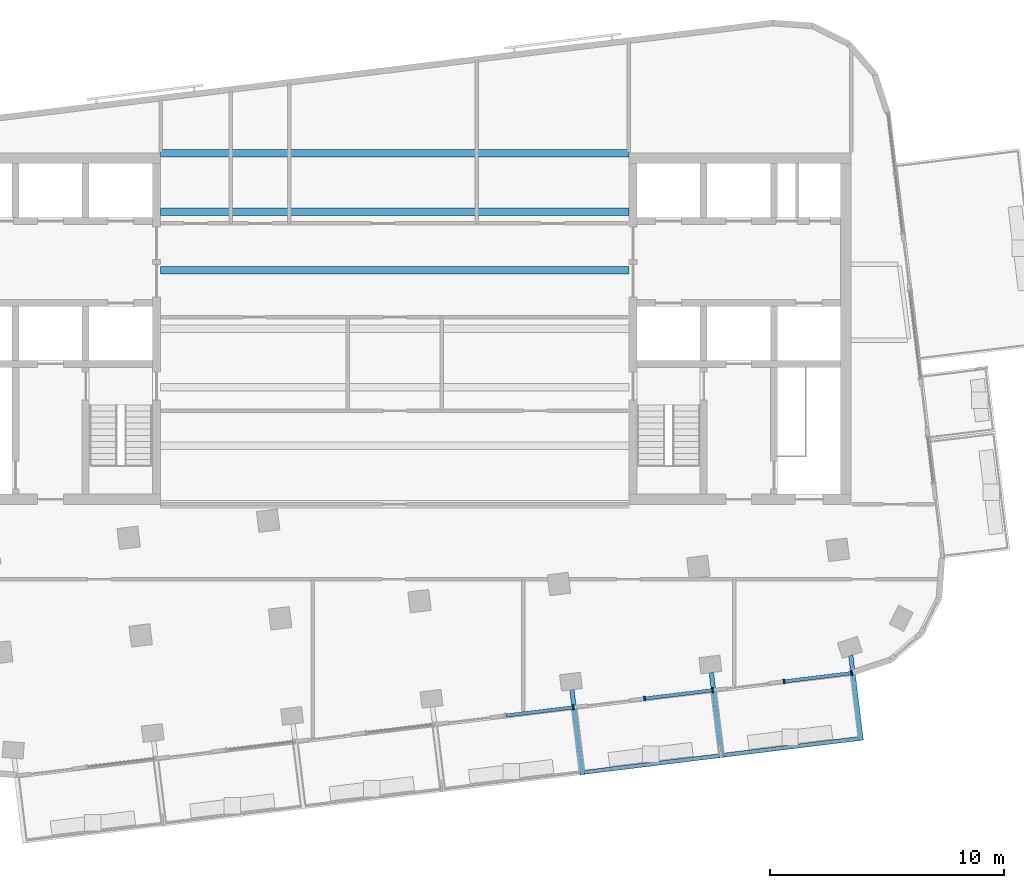
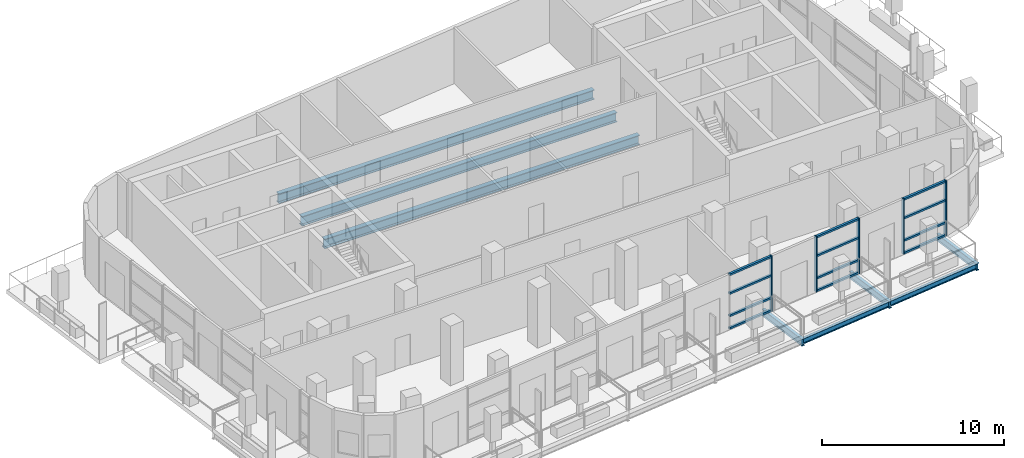
# One storey, part 3 of 13: 17 members, 8 beams, 3 elements without a shape of their own.
"""IFC4 building model written with IfcOpenShell, lengths in metres."""

from ifc_helpers import new_model, si_unit, direction, frame, origin, origin_2d, place, context, subcontext, project, spatial, rectangle, i_section, extrude, material, layer, layer_set, material_profile, profile_set, type_object, element, aggregate, save


model = new_model("IFC4")

# Units and contexts
model_context = context("Model", 3, precision=1e-05, world=origin(), true_north=direction((0.0, 1.0)))
body_context = subcontext(model_context, "Body", "Model", "MODEL_VIEW")
ifc_project = project(units=[si_unit("LENGTHUNIT", "METRE"), si_unit("AREAUNIT", "SQUARE_METRE"), si_unit("VOLUMEUNIT", "CUBIC_METRE"), si_unit("PLANEANGLEUNIT", "RADIAN"), si_unit("MASSUNIT", "GRAM", prefix="KILO")], contexts=[model_context])

# Site, building, storey
site_placement = place(None, origin())
site = spatial("IfcSite", under=ifc_project, at=site_placement, CompositionType="ELEMENT")
building_placement = place(site_placement, origin())
building = spatial("IfcBuilding", under=site, at=building_placement, Name="Torana Hotel and Residences", CompositionType="ELEMENT")
storey_placement = place(building_placement, frame((0.0, 0.0, 342.60009765625)))
storey = spatial("IfcBuildingStorey", under=building, at=storey_placement, Name="L90", CompositionType="ELEMENT", Elevation=342.60009765625)

# Beams
ifc_material_1 = material(Name="Steel S355", Category="steel")
ifc_material_profile_1 = material_profile(ifc_material_1, i_section(OverallWidth=0.19287109375, OverallDepth=0.46728515625, WebThickness=0.011474609375, FlangeThickness=0.01953125, FilletRadius=0.01025390625, at=origin_2d()), Name="457x191x98 UB")
ifc_profile_set_1 = profile_set([ifc_material_profile_1], Name="Steel S355")
beam_type_1 = type_object("IfcBeamType", Name="BALCONY CANTILEVER BEAM 457x191x98 UB", PredefinedType="BEAM", material=ifc_profile_set_1)
beam_1_placement = place(storey_placement, frame((7.568359375, -22.910400390625, -0.513671875), z_axis=(0.122014669663, -0.992528297021, 0.0), x_axis=(0.992528297021, 0.122014669663, 0.0)))
element("IfcBeam", 1, at=beam_1_placement, inside=storey, type_object=beam_type_1, Name="Balcony cantilever beam", PredefinedType="BEAM", context=body_context, shape_type="SweptSolid", body=[
    extrude(i_section(OverallWidth=0.19287109375, OverallDepth=0.46728515625, WebThickness=0.011474609375, FlangeThickness=0.01953125, FilletRadius=0.01025390625, at=origin_2d()), origin(), (0.0, 0.0, 1.0), 3.65966796875),
])
beam_2_placement = place(storey_placement, frame((13.5244140625, -22.178466796875, -0.513671875), z_axis=(0.12179331453, -0.992555483858, 0.0), x_axis=(0.992555483858, 0.12179331453, 0.0)))
element("IfcBeam", 2, at=beam_2_placement, inside=storey, type_object=beam_type_1, Name="Balcony cantilever beam", PredefinedType="BEAM", context=body_context, shape_type="SweptSolid", body=[
    extrude(i_section(OverallWidth=0.19287109375, OverallDepth=0.46728515625, WebThickness=0.011474609375, FlangeThickness=0.01953125, FilletRadius=0.01025390625, at=origin_2d()), origin(), (0.0, 0.0, 1.0), 3.660400390625),
])
beam_3_placement = place(storey_placement, frame((19.480224609375, -21.454345703125, -0.513671875), z_axis=(0.12183008487, -0.992550971195, 0.0), x_axis=(0.992550971195, 0.12183008487, 0.0)))
element("IfcBeam", 3, at=beam_3_placement, inside=storey, type_object=beam_type_1, Name="Balcony cantilever beam", PredefinedType="BEAM", context=body_context, shape_type="SweptSolid", body=[
    extrude(i_section(OverallWidth=0.19287109375, OverallDepth=0.46728515625, WebThickness=0.011474609375, FlangeThickness=0.01953125, FilletRadius=0.01025390625, at=origin_2d()), origin(), (0.0, 0.0, 1.0), 3.653076171875),
])
ifc_material_2 = material(Name="Steel S355", Category="steel")
ifc_material_profile_2 = material_profile(ifc_material_2, i_section(OverallWidth=0.173095703125, OverallDepth=0.36328125, WebThickness=0.009033203125, FlangeThickness=0.015625, FilletRadius=0.01025390625, at=origin_2d()), Name="356x171x67 UB")
ifc_profile_set_2 = profile_set([ifc_material_profile_2], Name="Steel S355")
beam_type_2 = type_object("IfcBeamType", Name="BALCONY TIP BEAM 356x171x67 UB", PredefinedType="BEAM", material=ifc_profile_set_2)
beam_4_placement = place(storey_placement, frame((13.8935546875, -25.733642578125, -0.4619140625), z_axis=(-0.992544426795, -0.121883390327, 0.0), x_axis=(0.121883390327, -0.992544426795, 0.0)))
element("IfcBeam", 4, at=beam_4_placement, inside=storey, type_object=beam_type_2, Name="Balcony tip beam", PredefinedType="BEAM", context=body_context, shape_type="SweptSolid", body=[
    extrude(i_section(OverallWidth=0.173095703125, OverallDepth=0.36328125, WebThickness=0.009033203125, FlangeThickness=0.015625, FilletRadius=0.01025390625, at=origin_2d()), origin(), (0.0, 0.0, 1.0), 5.866943359375),
])
beam_5_placement = place(storey_placement, frame((19.848876953125, -25.00244140625, -0.4619140625), z_axis=(-0.992545044936, -0.121878356459, 0.0), x_axis=(0.121878356459, -0.992545044936, 0.0)))
element("IfcBeam", 5, at=beam_5_placement, inside=storey, type_object=beam_type_2, Name="Balcony tip beam", PredefinedType="BEAM", context=body_context, shape_type="SweptSolid", body=[
    extrude(i_section(OverallWidth=0.173095703125, OverallDepth=0.36328125, WebThickness=0.009033203125, FlangeThickness=0.015625, FilletRadius=0.01025390625, at=origin_2d()), origin(), (0.0, 0.0, 1.0), 5.8671875),
])

# Curtain wall, member
ifc_material_3 = material(Name="Dark anodised aluminium", Category="aluminium")
ifc_layer = layer(ifc_material_3, 0.199951171875)
ifc_layer_set = layer_set([ifc_layer], Name="CW3 SKY CLUB UNITISED CURTAIN WALL")
curtain_wall_type = type_object("IfcCurtainWallType", Name="CW3 SKY CLUB UNITISED CURTAIN WALL", PredefinedType="NOTDEFINED", material=ifc_layer_set)
curtain_wall_1_placement = place(storey_placement, origin())
curtain_wall_1 = element("IfcCurtainWall", 6, at=curtain_wall_1_placement, inside=storey, type_object=curtain_wall_type, Name="Curtain wall CW3 L90 e0.14-8", PredefinedType="NOTDEFINED")
ifc_material_4 = material(Name="Dark anodised aluminium", Category="aluminium")
ifc_material_profile_3 = material_profile(ifc_material_4, rectangle(XDim=0.199951171875, YDim=0.070068359375, at=origin_2d()), Name="CW3 MULLION 70x200")
ifc_profile_set_3 = profile_set([ifc_material_profile_3], Name="Dark anodised aluminium")
member_type_1 = type_object("IfcMemberType", Name="CW3 MULLION 70x200", PredefinedType="MULLION", material=ifc_profile_set_3)
member_1_placement = place(storey_placement, frame((7.626708984375, -23.668701171875, 0.0), z_axis=(0.0, 0.0, 1.0), x_axis=(-0.121868256929, 0.992546285043, 0.0)))
member_1 = element("IfcMember", 7, at=member_1_placement, type_object=member_type_1, Name="CW3 mullion 2", PredefinedType="MULLION", context=body_context, shape_type="SweptSolid", body=[
    extrude(rectangle(XDim=0.199951171875, YDim=0.070068359375, at=origin_2d()), origin(), (0.0, 0.0, 1.0), 3.719970703125),
])

# Curtain wall, members
curtain_wall_2_placement = place(storey_placement, origin())
curtain_wall_2 = element("IfcCurtainWall", 8, at=curtain_wall_2_placement, inside=storey, type_object=curtain_wall_type, Name="Curtain wall CW3 L90 e0.14-10", PredefinedType="NOTDEFINED")
member_2_placement = place(storey_placement, frame((10.673828125, -23.29443359375, 0.0), z_axis=(0.0, 0.0, 1.0), x_axis=(-0.121868256929, 0.992546285043, 0.0)))
member_2 = element("IfcMember", 9, at=member_2_placement, type_object=member_type_1, Name="CW3 mullion 1", PredefinedType="MULLION", context=body_context, shape_type="SweptSolid", body=[
    extrude(rectangle(XDim=0.199951171875, YDim=0.070068359375, at=origin_2d()), origin(), (0.0, 0.0, 1.0), 3.719970703125),
])
member_3_placement = place(storey_placement, frame((13.58203125, -22.9375, 0.0), z_axis=(0.0, 0.0, 1.0), x_axis=(-0.121868256929, 0.992546285043, 0.0)))
member_3 = element("IfcMember", 10, at=member_3_placement, type_object=member_type_1, Name="CW3 mullion 2", PredefinedType="MULLION", context=body_context, shape_type="SweptSolid", body=[
    extrude(rectangle(XDim=0.199951171875, YDim=0.070068359375, at=origin_2d()), origin(), (0.0, 0.0, 1.0), 3.719970703125),
])

curtain_wall_3_placement = place(storey_placement, origin())
curtain_wall_3 = element("IfcCurtainWall", 11, at=curtain_wall_3_placement, inside=storey, type_object=curtain_wall_type, Name="Curtain wall CW3 L90 e0.14-12", PredefinedType="NOTDEFINED")
member_4_placement = place(storey_placement, frame((16.629150390625, -22.563232421875, 0.0), z_axis=(0.0, 0.0, 1.0), x_axis=(-0.121862839581, 0.992546950189, 0.0)))
member_4 = element("IfcMember", 12, at=member_4_placement, type_object=member_type_1, Name="CW3 mullion 1", PredefinedType="MULLION", context=body_context, shape_type="SweptSolid", body=[
    extrude(rectangle(XDim=0.199951171875, YDim=0.070068359375, at=origin_2d()), origin(), (0.0, 0.0, 1.0), 3.719970703125),
])
member_5_placement = place(storey_placement, frame((19.512939453125, -22.209228515625, 0.0), z_axis=(0.0, 0.0, 1.0), x_axis=(-0.121862839581, 0.992546950189, 0.0)))
member_5 = element("IfcMember", 13, at=member_5_placement, type_object=member_type_1, Name="CW3 mullion 2", PredefinedType="MULLION", context=body_context, shape_type="SweptSolid", body=[
    extrude(rectangle(XDim=0.199951171875, YDim=0.070068359375, at=origin_2d()), origin(), (0.0, 0.0, 1.0), 3.719970703125),
])

# Member
ifc_material_5 = material(Name="Dark anodised aluminium", Category="aluminium")
ifc_material_profile_4 = material_profile(ifc_material_5, rectangle(XDim=0.14990234375, YDim=0.1201171875, at=origin_2d()), Name="CW3 TRANSOM 150x120")
ifc_profile_set_4 = profile_set([ifc_material_profile_4], Name="Dark anodised aluminium")
member_type_2 = type_object("IfcMemberType", Name="CW3 TRANSOM 150x120", PredefinedType="USERDEFINED", material=ifc_profile_set_4)
member_6_placement = place(storey_placement, frame((4.753173828125, -24.021484375, 0.059814453125), z_axis=(0.992543455277, 0.121891301525, 0.0), x_axis=(-0.121891301525, 0.992543455277, 0.0)))
member_6 = element("IfcMember", 14, at=member_6_placement, type_object=member_type_2, Name="CW3 transom 1.1", ObjectType="TRANSOM", PredefinedType="USERDEFINED", context=body_context, shape_type="SweptSolid", body=[
    extrude(rectangle(XDim=0.14990234375, YDim=0.1201171875, at=origin_2d()), origin(), (0.0, 0.0, 1.0), 2.860107421875),
])

member_7_placement = place(storey_placement, frame((4.753173828125, -24.021484375, 0.89990234375), z_axis=(0.992543455277, 0.121891301525, 0.0), x_axis=(-0.121891301525, 0.992543455277, 0.0)))
member_7 = element("IfcMember", 15, at=member_7_placement, type_object=member_type_2, Name="CW3 transom 1.2", ObjectType="TRANSOM", PredefinedType="USERDEFINED", context=body_context, shape_type="SweptSolid", body=[
    extrude(rectangle(XDim=0.14990234375, YDim=0.1201171875, at=origin_2d()), origin(), (0.0, 0.0, 1.0), 2.860107421875),
])

member_8_placement = place(storey_placement, frame((4.753173828125, -24.021484375, 2.39990234375), z_axis=(0.992543455277, 0.121891301525, 0.0), x_axis=(-0.121891301525, 0.992543455277, 0.0)))
member_8 = element("IfcMember", 16, at=member_8_placement, type_object=member_type_2, Name="CW3 transom 1.3", ObjectType="TRANSOM", PredefinedType="USERDEFINED", context=body_context, shape_type="SweptSolid", body=[
    extrude(rectangle(XDim=0.14990234375, YDim=0.1201171875, at=origin_2d()), origin(), (0.0, 0.0, 1.0), 2.860107421875),
])

member_9_placement = place(storey_placement, frame((4.753173828125, -24.021484375, 3.659912109375), z_axis=(0.992543455277, 0.121891301525, 0.0), x_axis=(-0.121891301525, 0.992543455277, 0.0)))
member_9 = element("IfcMember", 17, at=member_9_placement, type_object=member_type_2, Name="CW3 transom 1.4", ObjectType="TRANSOM", PredefinedType="USERDEFINED", context=body_context, shape_type="SweptSolid", body=[
    extrude(rectangle(XDim=0.14990234375, YDim=0.1201171875, at=origin_2d()), origin(), (0.0, 0.0, 1.0), 2.860107421875),
])

aggregate(curtain_wall_1, [member_1, member_6, member_7, member_8, member_9])

member_10_placement = place(storey_placement, frame((10.70849609375, -23.290283203125, 0.059814453125), z_axis=(0.992542186909, 0.121901629217, 0.0), x_axis=(-0.121901629217, 0.992542186909, 0.0)))
member_10 = element("IfcMember", 18, at=member_10_placement, type_object=member_type_2, Name="CW3 transom 1.1", ObjectType="TRANSOM", PredefinedType="USERDEFINED", context=body_context, shape_type="SweptSolid", body=[
    extrude(rectangle(XDim=0.14990234375, YDim=0.1201171875, at=origin_2d()), origin(), (0.0, 0.0, 1.0), 2.85986328125),
])

member_11_placement = place(storey_placement, frame((10.70849609375, -23.290283203125, 0.89990234375), z_axis=(0.992542186909, 0.121901629217, 0.0), x_axis=(-0.121901629217, 0.992542186909, 0.0)))
member_11 = element("IfcMember", 19, at=member_11_placement, type_object=member_type_2, Name="CW3 transom 1.2", ObjectType="TRANSOM", PredefinedType="USERDEFINED", context=body_context, shape_type="SweptSolid", body=[
    extrude(rectangle(XDim=0.14990234375, YDim=0.1201171875, at=origin_2d()), origin(), (0.0, 0.0, 1.0), 2.85986328125),
])

member_12_placement = place(storey_placement, frame((10.70849609375, -23.290283203125, 2.39990234375), z_axis=(0.992542186909, 0.121901629217, 0.0), x_axis=(-0.121901629217, 0.992542186909, 0.0)))
member_12 = element("IfcMember", 20, at=member_12_placement, type_object=member_type_2, Name="CW3 transom 1.3", ObjectType="TRANSOM", PredefinedType="USERDEFINED", context=body_context, shape_type="SweptSolid", body=[
    extrude(rectangle(XDim=0.14990234375, YDim=0.1201171875, at=origin_2d()), origin(), (0.0, 0.0, 1.0), 2.85986328125),
])

member_13_placement = place(storey_placement, frame((10.70849609375, -23.290283203125, 3.659912109375), z_axis=(0.992542186909, 0.121901629217, 0.0), x_axis=(-0.121901629217, 0.992542186909, 0.0)))
member_13 = element("IfcMember", 21, at=member_13_placement, type_object=member_type_2, Name="CW3 transom 1.4", ObjectType="TRANSOM", PredefinedType="USERDEFINED", context=body_context, shape_type="SweptSolid", body=[
    extrude(rectangle(XDim=0.14990234375, YDim=0.1201171875, at=origin_2d()), origin(), (0.0, 0.0, 1.0), 2.85986328125),
])

aggregate(curtain_wall_2, [member_2, member_3, member_10, member_11, member_12, member_13])

member_14_placement = place(storey_placement, frame((16.663818359375, -22.55908203125, 0.059814453125), z_axis=(0.992549667858, 0.1218407027, 0.0), x_axis=(-0.1218407027, 0.992549667858, 0.0)))
member_14 = element("IfcMember", 22, at=member_14_placement, type_object=member_type_2, Name="CW3 transom 1.1", ObjectType="TRANSOM", PredefinedType="USERDEFINED", context=body_context, shape_type="SweptSolid", body=[
    extrude(rectangle(XDim=0.14990234375, YDim=0.1201171875, at=origin_2d()), origin(), (0.0, 0.0, 1.0), 2.83544921875),
])

member_15_placement = place(storey_placement, frame((16.663818359375, -22.55908203125, 0.89990234375), z_axis=(0.992549667858, 0.1218407027, 0.0), x_axis=(-0.1218407027, 0.992549667858, 0.0)))
member_15 = element("IfcMember", 23, at=member_15_placement, type_object=member_type_2, Name="CW3 transom 1.2", ObjectType="TRANSOM", PredefinedType="USERDEFINED", context=body_context, shape_type="SweptSolid", body=[
    extrude(rectangle(XDim=0.14990234375, YDim=0.1201171875, at=origin_2d()), origin(), (0.0, 0.0, 1.0), 2.83544921875),
])

member_16_placement = place(storey_placement, frame((16.663818359375, -22.55908203125, 2.39990234375), z_axis=(0.992549667858, 0.1218407027, 0.0), x_axis=(-0.1218407027, 0.992549667858, 0.0)))
member_16 = element("IfcMember", 24, at=member_16_placement, type_object=member_type_2, Name="CW3 transom 1.3", ObjectType="TRANSOM", PredefinedType="USERDEFINED", context=body_context, shape_type="SweptSolid", body=[
    extrude(rectangle(XDim=0.14990234375, YDim=0.1201171875, at=origin_2d()), origin(), (0.0, 0.0, 1.0), 2.83544921875),
])

member_17_placement = place(storey_placement, frame((16.663818359375, -22.55908203125, 3.659912109375), z_axis=(0.992549667858, 0.1218407027, 0.0), x_axis=(-0.1218407027, 0.992549667858, 0.0)))
member_17 = element("IfcMember", 25, at=member_17_placement, type_object=member_type_2, Name="CW3 transom 1.4", ObjectType="TRANSOM", PredefinedType="USERDEFINED", context=body_context, shape_type="SweptSolid", body=[
    extrude(rectangle(XDim=0.14990234375, YDim=0.1201171875, at=origin_2d()), origin(), (0.0, 0.0, 1.0), 2.83544921875),
])

aggregate(curtain_wall_3, [member_4, member_5, member_14, member_15, member_16, member_17])

# Beams
ifc_material_6 = material(Name="Steel S355", Category="steel")
ifc_material_profile_5 = material_profile(ifc_material_6, i_section(OverallWidth=0.311279296875, OverallDepth=0.6357421875, WebThickness=0.018310546875, FlangeThickness=0.031494140625, FilletRadius=0.0166015625, at=origin_2d()), Name="610x305x238 UB")
ifc_profile_set_5 = profile_set([ifc_material_profile_5], Name="Steel S355")
beam_type_3 = type_object("IfcBeamType", Name="STEEL GIRDER 610x305x238 UB", PredefinedType="BEAM", material=ifc_profile_set_5)
for number, where, z_axis, x_axis, name in (
    (26, (-10.0, -5.0, -0.597900390625), (1.0, 0.0, 0.0), (0.0, 1.0, 0.0), "Floor girder"),
    (27, (-10.0, -2.5, -0.597900390625), (1.0, 0.0, 0.0), (0.0, 1.0, 0.0), "Floor girder"),
    (28, (-10.0, 0.0, -0.597900390625), (1.0, 0.0, 0.0), (0.0, 1.0, 0.0), "Floor girder"),
):
    element("IfcBeam", number, at=place(storey_placement, frame(where, z_axis=z_axis, x_axis=x_axis)), inside=storey, type_object=beam_type_3, Name=name, PredefinedType="BEAM", context=body_context, shape_type="SweptSolid", body=[
        extrude(i_section(OverallWidth=0.311279296875, OverallDepth=0.6357421875, WebThickness=0.018310546875, FlangeThickness=0.031494140625, FilletRadius=0.0166015625, at=origin_2d()), origin(), (0.0, 0.0, 1.0), 20.0),
    ])

save(model, "model.ifc")
